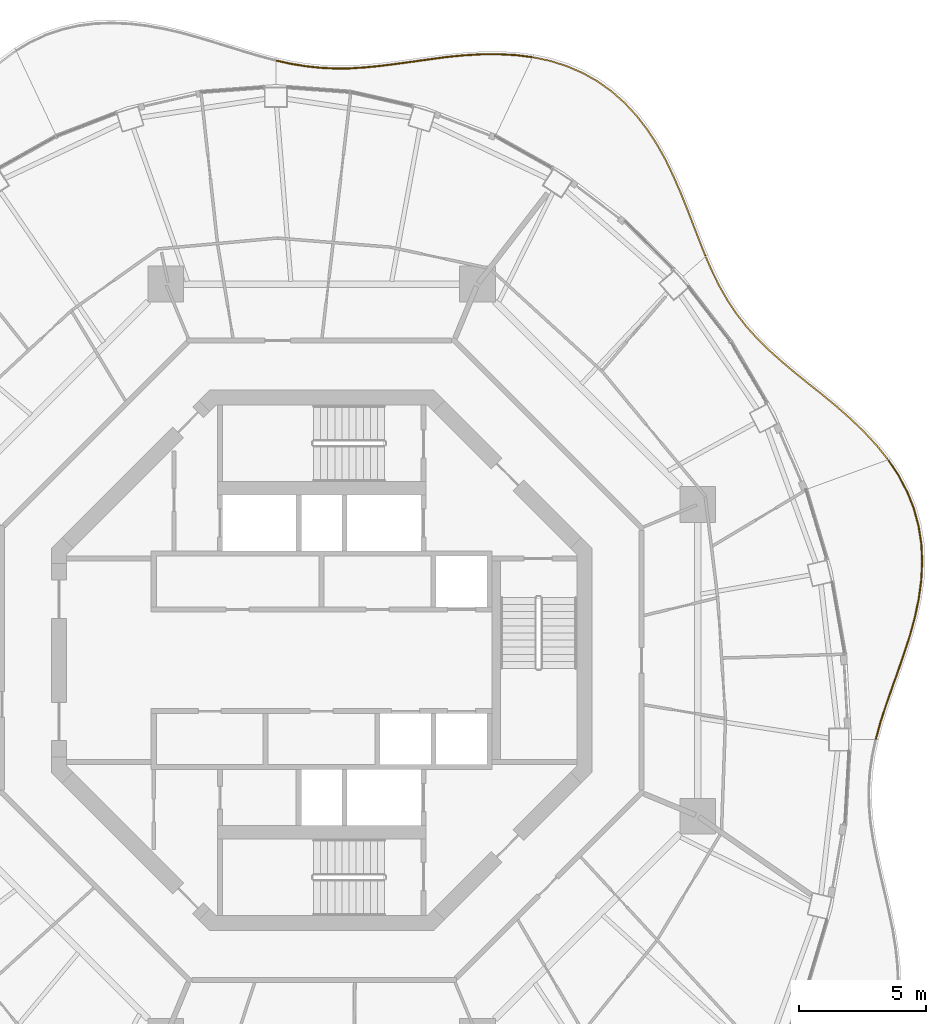
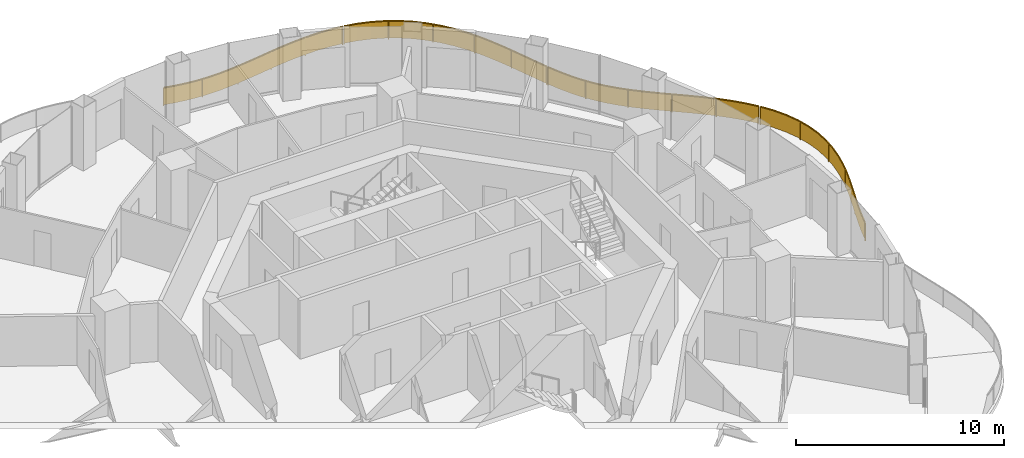
# One storey, part 17 of 17: 4 railings.
"""IFC4 building model written with IfcOpenShell, lengths in metres."""

from ifc_helpers import new_model, si_unit, direction, frame, origin, origin_2d, place, context, subcontext, project, spatial, polyline, rectangle, outline, extrude, material, type_object, element, save


model = new_model("IFC4")

# Units and contexts
model_context = context("Model", 3, precision=1e-05, world=origin(), true_north=direction((0.0, 1.0)))
body_context = subcontext(model_context, "Body", "Model", "MODEL_VIEW")
ifc_project = project(units=[si_unit("LENGTHUNIT", "METRE"), si_unit("AREAUNIT", "SQUARE_METRE"), si_unit("VOLUMEUNIT", "CUBIC_METRE"), si_unit("PLANEANGLEUNIT", "RADIAN"), si_unit("MASSUNIT", "GRAM", prefix="KILO")], contexts=[model_context])

# Site, building, storey
site_placement = place(None, origin())
site = spatial("IfcSite", under=ifc_project, at=site_placement, CompositionType="ELEMENT")
building_placement = place(site_placement, origin())
building = spatial("IfcBuilding", under=site, at=building_placement, Name="Nagisa Residences", CompositionType="ELEMENT")
storey_placement = place(building_placement, frame((0.0, 0.0, 262.199951171875)))
storey = spatial("IfcBuildingStorey", under=building, at=storey_placement, Name="L66", CompositionType="ELEMENT", Elevation=262.199951171875)

# Railings
ifc_material = material(Name="Stainless steel 316", Category="steel")
railing_type = type_object("IfcRailingType", Name="BALCONY GUARD 1100", PredefinedType="BALUSTRADE", material=ifc_material)
railing_1_placement = place(storey_placement, frame((21.77490234375, -3.08349609375, 0.0)))
element("IfcRailing", 1, at=railing_1_placement, inside=storey, type_object=railing_type, Name="guard:L66:bal00-0", PredefinedType="BALUSTRADE", context=body_context, shape_type="SweptSolid", body=[
    extrude(outline(polyline([(0.1455078125, 0.620849609375), (-0.024169921875, 0.006591796875), (0.024169921875, -0.006591796875), (0.193359375, 0.606689453125), (0.40576171875, 1.270751953125), (0.64111328125, 1.94677734375), (0.88671875, 2.63623046875), (1.12939453125, 3.3388671875), (1.357421875, 4.040283203125), (1.55419921875, 4.764892578125), (1.707763671875, 5.49609375), (1.80712890625, 6.2294921875), (1.842529296875, 6.9599609375), (1.8095703125, 7.668701171875), (1.697509765625, 8.377685546875), (1.50732421875, 9.068115234375), (1.24072265625, 9.73486328125), (0.901123046875, 10.375244140625), (0.519775390625, 10.946044921875), (0.478271484375, 10.918212890625), (0.858154296875, 10.349365234375), (1.1953125, 9.7138671875), (1.4599609375, 9.052001953125), (1.648681640625, 8.366943359375), (1.759765625, 7.663818359375), (1.792236328125, 6.9599609375), (1.75732421875, 6.23388671875), (1.658447265625, 5.50439453125), (1.50537109375, 4.776611328125), (1.3095703125, 4.054443359375), (1.08203125, 3.35498046875), (0.83935546875, 2.65283203125), (0.59375, 1.96337890625), (0.3583984375, 1.286376953125), (0.1455078125, 0.620849609375)])), frame((0.0, 0.0, 1.050048828125)), (0.0, 0.0, 1.0), 0.050048828125),
    extrude(outline(polyline([(0.162841796875, 0.61572265625), (-0.0068359375, 0.001953125), (0.0068359375, -0.001953125), (0.176025390625, 0.61181640625), (0.388671875, 1.2763671875), (0.6240234375, 1.95263671875), (0.86962890625, 2.642333984375), (1.1123046875, 3.3447265625), (1.340087890625, 4.04541015625), (1.53662109375, 4.76904296875), (1.68994140625, 5.4990234375), (1.789306640625, 6.23095703125), (1.824462890625, 6.9599609375), (1.791748046875, 7.6669921875), (1.679931640625, 8.373779296875), (1.490234375, 9.062255859375), (1.224365234375, 9.727294921875), (0.8857421875, 10.365966796875), (0.5048828125, 10.93603515625), (0.4931640625, 10.92822265625), (0.87353515625, 10.358642578125), (1.211669921875, 9.721435546875), (1.47705078125, 9.057861328125), (1.666259765625, 8.370849609375), (1.777587890625, 7.66552734375), (1.810302734375, 6.9599609375), (1.775146484375, 6.232421875), (1.67626953125, 5.50146484375), (1.52294921875, 4.7724609375), (1.326904296875, 4.04931640625), (1.09912109375, 3.34912109375), (0.8564453125, 2.646728515625), (0.61083984375, 1.95751953125), (0.37548828125, 1.28076171875), (0.162841796875, 0.61572265625)])), frame((0.0, 0.0, 0.06005859375)), (0.0, 0.0, 1.0), 0.989990234375),
    extrude(rectangle(XDim=0.0400390625, YDim=0.0400390625, at=origin_2d()), origin(), (0.0, 0.0, 1.0), 1.050048828125),
    extrude(rectangle(XDim=0.0400390625, YDim=0.0400390625, at=origin_2d()), frame((0.699951171875, 2.1865234375, 0.0)), (0.0, 0.0, 1.0), 1.050048828125),
    extrude(rectangle(XDim=0.0400390625, YDim=0.0400390625, at=origin_2d()), frame((1.420166015625, 4.366455078125, 0.0)), (0.0, 0.0, 1.0), 1.050048828125),
    extrude(rectangle(XDim=0.0400390625, YDim=0.0400390625, at=origin_2d()), frame((1.80126953125, 6.625244140625, 0.0)), (0.0, 0.0, 1.0), 1.050048828125),
    extrude(rectangle(XDim=0.0400390625, YDim=0.0400390625, at=origin_2d()), frame((1.52978515625, 8.892578125, 0.0)), (0.0, 0.0, 1.0), 1.050048828125),
    extrude(rectangle(XDim=0.0400390625, YDim=0.0400390625, at=origin_2d()), frame((0.4990234375, 10.93212890625, 0.0)), (0.0, 0.0, 1.0), 1.050048828125),
])
railing_2_placement = place(storey_placement, frame((22.227783203125, 7.91064453125, 0.0)))
element("IfcRailing", 2, at=railing_2_placement, inside=storey, type_object=railing_type, Name="guard:L66:bal01-0", PredefinedType="BALUSTRADE", context=body_context, shape_type="SweptSolid", body=[
    extrude(outline(polyline([(-0.43896484375, 0.508056640625), (-0.01953125, -0.015625), (0.01953125, 0.015625), (-0.40087890625, 0.540771484375), (-0.893310546875, 1.074951171875), (-1.4189453125, 1.582275390625), (-1.966552734375, 2.066162109375), (-2.5244140625, 2.530517578125), (-3.074462890625, 2.96728515625), (-3.619384765625, 3.40869140625), (-4.143310546875, 3.848388671875), (-4.638671875, 4.29296875), (-5.100341796875, 4.748779296875), (-5.516357421875, 5.20947265625), (-5.90283203125, 5.705078125), (-6.25244140625, 6.22705078125), (-6.569091796875, 6.7783203125), (-6.857666015625, 7.359375), (-7.107177734375, 7.929931640625), (-7.153076171875, 7.909912109375), (-6.903076171875, 7.33837890625), (-6.613037109375, 6.7548828125), (-6.294921875, 6.20068359375), (-5.943359375, 5.67578125), (-5.554931640625, 5.17724609375), (-5.136474609375, 4.714111328125), (-4.6728515625, 4.25634765625), (-4.176025390625, 3.810791015625), (-3.651123046875, 3.3701171875), (-3.105712890625, 2.92822265625), (-2.55615234375, 2.491455078125), (-1.999267578125, 2.028076171875), (-1.453125, 1.545654296875), (-0.928955078125, 1.039794921875), (-0.43896484375, 0.508056640625)])), frame((0.0, 0.0, 1.050048828125)), (0.0, 0.0, 1.0), 0.050048828125),
    extrude(outline(polyline([(-0.42529296875, 0.519775390625), (-0.00537109375, -0.00439453125), (0.00537109375, 0.00439453125), (-0.41455078125, 0.529052734375), (-0.906005859375, 1.062255859375), (-1.431396484375, 1.569091796875), (-1.978271484375, 2.052490234375), (-2.535888671875, 2.516357421875), (-3.085693359375, 2.953125), (-3.630859375, 3.394775390625), (-4.155029296875, 3.8349609375), (-4.65087890625, 4.27978515625), (-5.11328125, 4.736328125), (-5.5302734375, 5.19775390625), (-5.91748046875, 5.694580078125), (-6.267822265625, 6.217529296875), (-6.5849609375, 6.77001953125), (-6.8740234375, 7.351806640625), (-7.123779296875, 7.922607421875), (-7.136474609375, 7.917236328125), (-6.88671875, 7.345947265625), (-6.59716796875, 6.76318359375), (-6.279541015625, 6.210205078125), (-5.9287109375, 5.686279296875), (-5.541015625, 5.18896484375), (-5.12353515625, 4.7265625), (-4.66064453125, 4.26953125), (-4.164306640625, 3.82421875), (-3.6396484375, 3.384033203125), (-3.094482421875, 2.9423828125), (-2.544677734375, 2.505615234375), (-1.987548828125, 2.041748046875), (-1.440673828125, 1.558837890625), (-0.916259765625, 1.052490234375), (-0.42529296875, 0.519775390625)])), frame((0.0, 0.0, 0.06005859375)), (0.0, 0.0, 1.0), 0.989990234375),
    extrude(rectangle(XDim=0.0400390625, YDim=0.0400390625, at=origin_2d()), origin(), (0.0, 0.0, 1.0), 1.050048828125),
    extrude(rectangle(XDim=0.0400390625, YDim=0.0400390625, at=origin_2d()), frame((-1.45849609375, 1.583740234375, 0.0)), (0.0, 0.0, 1.0), 1.050048828125),
    extrude(rectangle(XDim=0.0400390625, YDim=0.0400390625, at=origin_2d()), frame((-3.1123046875, 2.9658203125, 0.0)), (0.0, 0.0, 1.0), 1.050048828125),
    extrude(rectangle(XDim=0.0400390625, YDim=0.0400390625, at=origin_2d()), frame((-4.74951171875, 4.3671875, 0.0)), (0.0, 0.0, 1.0), 1.050048828125),
    extrude(rectangle(XDim=0.0400390625, YDim=0.0400390625, at=origin_2d()), frame((-6.13720703125, 6.01025390625, 0.0)), (0.0, 0.0, 1.0), 1.050048828125),
    extrude(rectangle(XDim=0.0400390625, YDim=0.0400390625, at=origin_2d()), frame((-7.130126953125, 7.919921875, 0.0)), (0.0, 0.0, 1.0), 1.050048828125),
])
railing_3_placement = place(storey_placement, frame((15.071044921875, 15.89892578125, 0.0)))
element("IfcRailing", 3, at=railing_3_placement, inside=storey, type_object=railing_type, Name="guard:L66:bal02-0", PredefinedType="BALUSTRADE", context=body_context, shape_type="SweptSolid", body=[
    extrude(outline(polyline([(-0.249267578125, 0.556884765625), (-0.023193359375, -0.00927734375), (0.023193359375, 0.00927734375), (-0.202880859375, 0.574951171875), (-0.44384765625, 1.200439453125), (-0.68994140625, 1.83935546875), (-0.949462890625, 2.4853515625), (-1.23046875, 3.130126953125), (-1.52783203125, 3.754638671875), (-1.8720703125, 4.37158203125), (-2.255859375, 4.960205078125), (-2.682373046875, 5.512451171875), (-3.153076171875, 6.019775390625), (-3.656982421875, 6.467529296875), (-4.212158203125, 6.86376953125), (-4.809814453125, 7.19970703125), (-5.44189453125, 7.471435546875), (-6.103759765625, 7.679443359375), (-6.742431640625, 7.813232421875), (-6.752685546875, 7.764404296875), (-6.116455078125, 7.631103515625), (-5.45947265625, 7.424560546875), (-4.831787109375, 7.15478515625), (-4.239013671875, 6.8212890625), (-3.688232421875, 6.428466796875), (-3.188232421875, 5.984130859375), (-2.720458984375, 5.480224609375), (-2.296875, 4.931396484375), (-1.9150390625, 4.345703125), (-1.572265625, 3.731689453125), (-1.27587890625, 3.109130859375), (-0.995849609375, 2.4658203125), (-0.736328125, 1.82080078125), (-0.49072265625, 1.182373046875), (-0.249267578125, 0.556884765625)])), frame((0.0, 0.0, 1.050048828125)), (0.0, 0.0, 1.0), 0.050048828125),
    extrude(outline(polyline([(-0.232666015625, 0.5634765625), (-0.006591796875, -0.002685546875), (0.006591796875, 0.002685546875), (-0.219482421875, 0.568359375), (-0.460693359375, 1.19384765625), (-0.70654296875, 1.83251953125), (-0.96630859375, 2.478271484375), (-1.246826171875, 3.12255859375), (-1.5439453125, 3.746337890625), (-1.887451171875, 4.3623046875), (-2.270751953125, 4.949951171875), (-2.696044921875, 5.5009765625), (-3.165771484375, 6.007080078125), (-3.668212890625, 6.453369140625), (-4.221923828125, 6.848388671875), (-4.817626953125, 7.18359375), (-5.4482421875, 7.45458984375), (-6.1083984375, 7.662109375), (-6.74609375, 7.795654296875), (-6.7490234375, 7.781982421875), (-6.11181640625, 7.6484375), (-5.453125, 7.44140625), (-4.823974609375, 7.1708984375), (-4.229248046875, 6.836669921875), (-3.677001953125, 6.442626953125), (-3.175537109375, 5.996826171875), (-2.706787109375, 5.49169921875), (-2.281982421875, 4.941650390625), (-1.899658203125, 4.35498046875), (-1.55615234375, 3.739990234375), (-1.259521484375, 3.11669921875), (-0.97900390625, 2.472900390625), (-0.7197265625, 1.82763671875), (-0.473876953125, 1.18896484375), (-0.232666015625, 0.5634765625)])), frame((0.0, 0.0, 0.06005859375)), (0.0, 0.0, 1.0), 0.989990234375),
    extrude(rectangle(XDim=0.0400390625, YDim=0.0400390625, at=origin_2d()), origin(), (0.0, 0.0, 1.0), 1.050048828125),
    extrude(rectangle(XDim=0.0400390625, YDim=0.0400390625, at=origin_2d()), frame((-0.794189453125, 2.031494140625, 0.0)), (0.0, 0.0, 1.0), 1.050048828125),
    extrude(rectangle(XDim=0.0400390625, YDim=0.0400390625, at=origin_2d()), frame((-1.700927734375, 4.013427734375, 0.0)), (0.0, 0.0, 1.0), 1.050048828125),
    extrude(rectangle(XDim=0.0400390625, YDim=0.0400390625, at=origin_2d()), frame((-2.96630859375, 5.78173828125, 0.0)), (0.0, 0.0, 1.0), 1.050048828125),
    extrude(rectangle(XDim=0.0400390625, YDim=0.0400390625, at=origin_2d()), frame((-4.6875, 7.102294921875, 0.0)), (0.0, 0.0, 1.0), 1.050048828125),
    extrude(rectangle(XDim=0.0400390625, YDim=0.0400390625, at=origin_2d()), frame((-6.74755859375, 7.788818359375, 0.0)), (0.0, 0.0, 1.0), 1.050048828125),
])
railing_4_placement = place(storey_placement, frame((8.2470703125, 23.699951171875, 0.0)))
element("IfcRailing", 4, at=railing_4_placement, inside=storey, type_object=railing_type, Name="guard:L66:bal03-0", PredefinedType="BALUSTRADE", context=body_context, shape_type="SweptSolid", body=[
    extrude(outline(polyline([(-0.629638671875, 0.052001953125), (-0.0029296875, -0.02490234375), (0.0029296875, 0.02490234375), (-0.625244140625, 0.101806640625), (-1.310302734375, 0.13818359375), (-1.9990234375, 0.131591796875), (-2.685302734375, 0.0908203125), (-3.365234375, 0.024169921875), (-4.01806640625, -0.064208984375), (-4.67431640625, -0.155029296875), (-5.315673828125, -0.24365234375), (-5.942138671875, -0.322021484375), (-6.55419921875, -0.381591796875), (-7.135986328125, -0.419189453125), (-7.724609375, -0.424072265625), (-8.306640625, -0.39599609375), (-8.8857421875, -0.333251953125), (-9.465576171875, -0.23681640625), (-10.007080078125, -0.117431640625), (-10.017822265625, -0.166259765625), (-9.474853515625, -0.2861328125), (-8.892578125, -0.383056640625), (-8.310546875, -0.44580078125), (-7.7255859375, -0.474365234375), (-7.134033203125, -0.468994140625), (-6.55029296875, -0.431396484375), (-5.936767578125, -0.371826171875), (-5.309326171875, -0.29345703125), (-4.66748046875, -0.204833984375), (-4.01123046875, -0.114013671875), (-3.359375, -0.025634765625), (-2.681396484375, 0.041015625), (-1.9970703125, 0.081787109375), (-1.311279296875, 0.087890625), (-0.629638671875, 0.052001953125)])), frame((0.0, 0.0, 1.050048828125)), (0.0, 0.0, 1.0), 0.050048828125),
    extrude(outline(polyline([(-0.628173828125, 0.06982421875), (-0.000732421875, -0.0068359375), (0.000732421875, 0.0068359375), (-0.626708984375, 0.083984375), (-1.310546875, 0.1201171875), (-1.998291015625, 0.11376953125), (-2.683837890625, 0.072998046875), (-3.363037109375, 0.006103515625), (-4.015625, -0.082275390625), (-4.671875, -0.173095703125), (-5.3134765625, -0.26171875), (-5.940185546875, -0.340087890625), (-6.552734375, -0.3994140625), (-7.13525390625, -0.43701171875), (-7.724853515625, -0.442138671875), (-8.30810546875, -0.413818359375), (-8.88818359375, -0.351318359375), (-9.468994140625, -0.254638671875), (-10.010986328125, -0.135009765625), (-10.013916015625, -0.148681640625), (-9.471435546875, -0.268310546875), (-8.89013671875, -0.364990234375), (-8.30908203125, -0.427978515625), (-7.725341796875, -0.456298828125), (-7.134765625, -0.451171875), (-6.5517578125, -0.41357421875), (-5.938720703125, -0.353759765625), (-5.3115234375, -0.275390625), (-4.669921875, -0.186767578125), (-4.013671875, -0.095947265625), (-3.361572265625, -0.007568359375), (-2.682861328125, 0.058837890625), (-1.997802734375, 0.099609375), (-1.31103515625, 0.10595703125), (-0.628173828125, 0.06982421875)])), frame((0.0, 0.0, 0.06005859375)), (0.0, 0.0, 1.0), 0.989990234375),
    extrude(rectangle(XDim=0.0400390625, YDim=0.0400390625, at=origin_2d()), origin(), (0.0, 0.0, 1.0), 1.050048828125),
    extrude(rectangle(XDim=0.0400390625, YDim=0.0400390625, at=origin_2d()), frame((-2.00927734375, 0.10595703125, 0.0)), (0.0, 0.0, 1.0), 1.050048828125),
    extrude(rectangle(XDim=0.0400390625, YDim=0.0400390625, at=origin_2d()), frame((-4.013916015625, -0.089111328125, 0.0)), (0.0, 0.0, 1.0), 1.050048828125),
    extrude(rectangle(XDim=0.0400390625, YDim=0.0400390625, at=origin_2d()), frame((-6.01123046875, -0.35400390625, 0.0)), (0.0, 0.0, 1.0), 1.050048828125),
    extrude(rectangle(XDim=0.0400390625, YDim=0.0400390625, at=origin_2d()), frame((-8.022216796875, -0.434814453125, 0.0)), (0.0, 0.0, 1.0), 1.050048828125),
    extrude(rectangle(XDim=0.0400390625, YDim=0.0400390625, at=origin_2d()), frame((-10.012451171875, -0.141845703125, 0.0)), (0.0, 0.0, 1.0), 1.050048828125),
])

save(model, "model.ifc")
